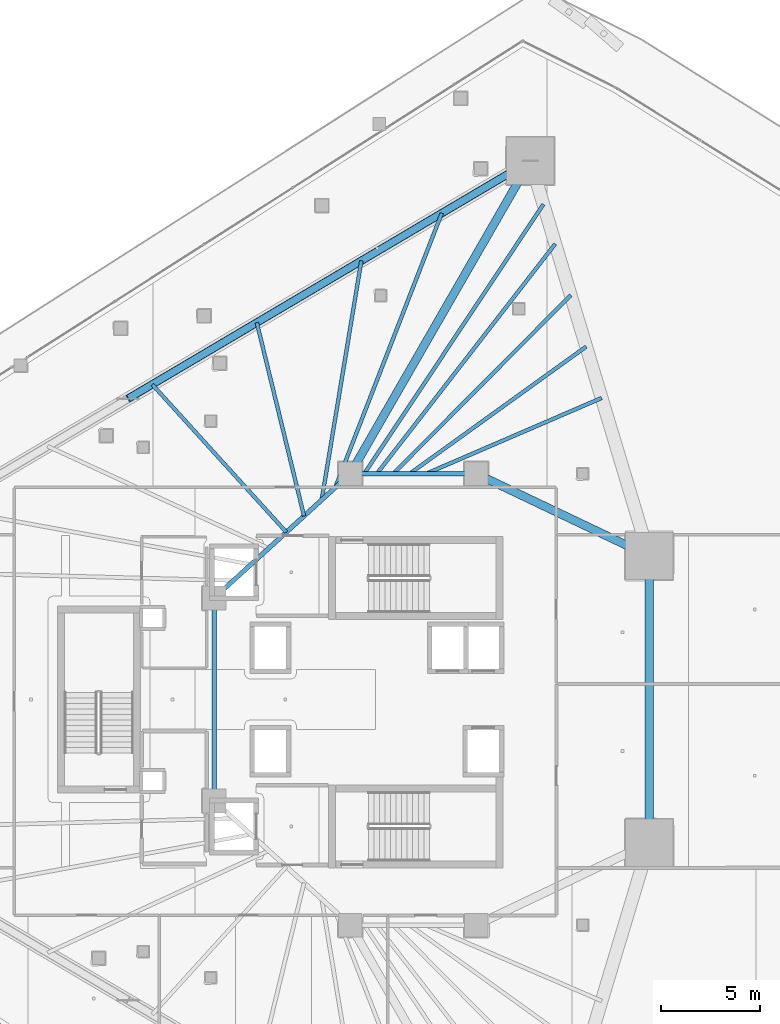
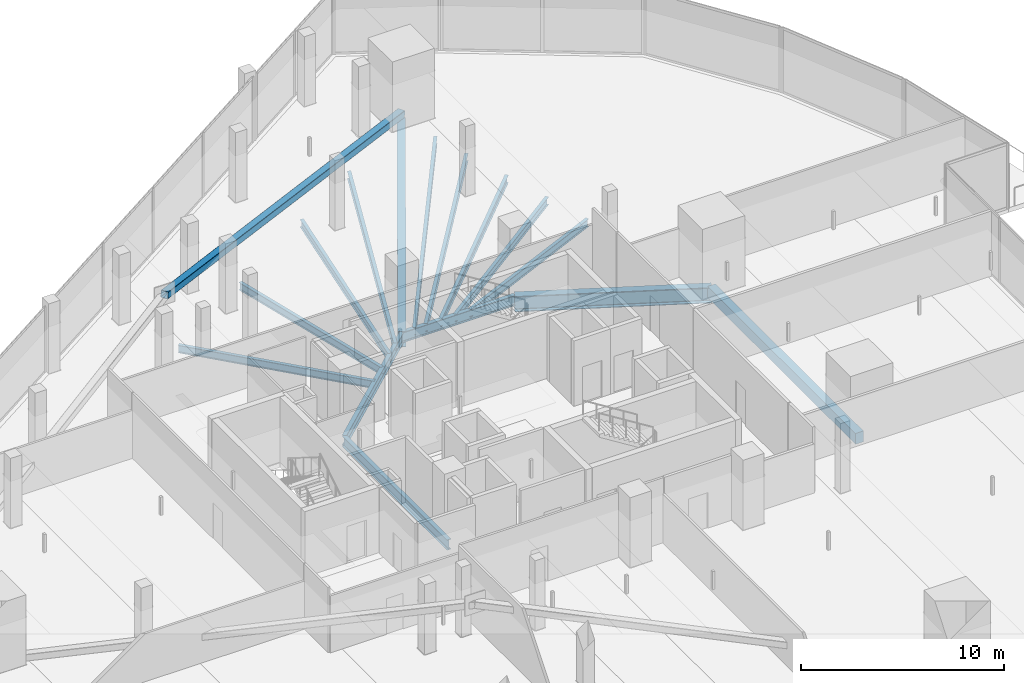
# One storey, part 19 of 45: 15 beams, 1 member.
"""IFC4 building model written with IfcOpenShell, lengths in metres."""

from ifc_helpers import new_model, si_unit, direction, frame, origin, origin_2d, place, context, subcontext, project, spatial, rectangle, hollow_rectangle, i_section, extrude, material, material_profile, profile_set, type_object, element, save


model = new_model("IFC4")

# Units and contexts
model_context = context("Model", 3, precision=1e-05, world=origin(), true_north=direction((0.0, 1.0)))
body_context = subcontext(model_context, "Body", "Model", "MODEL_VIEW")
ifc_project = project(units=[si_unit("LENGTHUNIT", "METRE"), si_unit("AREAUNIT", "SQUARE_METRE"), si_unit("VOLUMEUNIT", "CUBIC_METRE"), si_unit("PLANEANGLEUNIT", "RADIAN"), si_unit("MASSUNIT", "GRAM", prefix="KILO")], contexts=[model_context])

# Site, building, storey
site_placement = place(None, origin())
site = spatial("IfcSite", under=ifc_project, at=site_placement, CompositionType="ELEMENT")
building_placement = place(site_placement, origin())
building = spatial("IfcBuilding", under=site, at=building_placement, Name="Qorvath Tower", CompositionType="ELEMENT")
storey_placement = place(building_placement, frame((0.0, 0.0, 49.199951171875)))
storey = spatial("IfcBuildingStorey", under=building, at=storey_placement, Name="L10", CompositionType="ELEMENT", Elevation=49.199951171875)

# Beams
ifc_material_1 = material(Name="Steel ASTM A992 Grade 50", Category="steel")
ifc_material_profile_1 = material_profile(ifc_material_1, i_section(OverallWidth=0.422119140625, OverallDepth=0.93310546875, WebThickness=0.021240234375, FlangeThickness=0.039794921875, FilletRadius=0.02392578125, at=origin_2d()), Name="W36x262")
ifc_profile_set_1 = profile_set([ifc_material_profile_1], Name="Steel ASTM A992 Grade 50")
beam_type_1 = type_object("IfcBeamType", Name="BM-FG1", PredefinedType="BEAM", material=ifc_profile_set_1)
beam_1_placement = place(storey_placement, frame((-23.60009765625, 11.449951171875, -0.74658203125), z_axis=(0.498645367714, 0.866806089767, 0.0), x_axis=(-0.866806089767, 0.498645367714, 0.0)))
element("IfcBeam", 1, at=beam_1_placement, inside=storey, type_object=beam_type_1, Name="Radial Floor Girder CC1-MC6 L10", PredefinedType="BEAM", context=body_context, shape_type="SweptSolid", body=[
    extrude(i_section(OverallWidth=0.422119140625, OverallDepth=0.93310546875, WebThickness=0.021240234375, FlangeThickness=0.039794921875, FilletRadius=0.02392578125, at=origin_2d()), origin(), (0.0, 0.0, 1.0), 18.321044921875),
])
beam_2_placement = place(storey_placement, frame((-17.199951171875, 11.449951171875, -0.74658203125), z_axis=(0.902955751435, -0.429733534821, 0.0), x_axis=(0.429733534821, 0.902955751435, 0.0)))
element("IfcBeam", 2, at=beam_2_placement, inside=storey, type_object=beam_type_1, Name="Radial Floor Girder CC2-MC5 L10", PredefinedType="BEAM", context=body_context, shape_type="SweptSolid", body=[
    extrude(i_section(OverallWidth=0.422119140625, OverallDepth=0.93310546875, WebThickness=0.021240234375, FlangeThickness=0.039794921875, FilletRadius=0.02392578125, at=origin_2d()), origin(), (0.0, 0.0, 1.0), 9.7119140625),
])
ifc_material_2 = material(Name="Steel ASTM A992 Grade 50", Category="steel")
ifc_material_profile_2 = material_profile(ifc_material_2, i_section(OverallWidth=0.22998046875, OverallDepth=0.616943359375, WebThickness=0.01318359375, FlangeThickness=0.022216796875, FilletRadius=0.014892578125, at=origin_2d()), Name="W24x94")
ifc_profile_set_2 = profile_set([ifc_material_profile_2], Name="Steel ASTM A992 Grade 50")
beam_type_2 = type_object("IfcBeamType", Name="BM-FG6", PredefinedType="BEAM", material=ifc_profile_set_2)
beam_3_placement = place(storey_placement, frame((-23.60009765625, 11.449951171875, -0.588623046875), z_axis=(1.0, 0.0, 0.0), x_axis=(0.0, 1.0, 0.0)))
element("IfcBeam", 3, at=beam_3_placement, inside=storey, type_object=beam_type_2, Name="Core Ring Girder CC1-CC2 L10", PredefinedType="BEAM", context=body_context, shape_type="SweptSolid", body=[
    extrude(i_section(OverallWidth=0.22998046875, OverallDepth=0.616943359375, WebThickness=0.01318359375, FlangeThickness=0.022216796875, FilletRadius=0.014892578125, at=origin_2d()), origin(), (0.0, 0.0, 1.0), 6.400146484375),
])
beam_4_placement = place(storey_placement, frame((-30.5, -5.14990234375, -0.588623046875), z_axis=(0.0, 1.0, 0.0), x_axis=(-1.0, 0.0, 0.0)))
element("IfcBeam", 4, at=beam_4_placement, inside=storey, type_object=beam_type_2, Name="Core Ring Girder CC6-CC5 L10", PredefinedType="BEAM", context=body_context, shape_type="SweptSolid", body=[
    extrude(i_section(OverallWidth=0.22998046875, OverallDepth=0.616943359375, WebThickness=0.01318359375, FlangeThickness=0.022216796875, FilletRadius=0.014892578125, at=origin_2d()), origin(), (0.0, 0.0, 1.0), 10.2998046875),
])
beam_5_placement = place(storey_placement, frame((-30.5, 5.14990234375, -0.588623046875), z_axis=(0.73847813985, 0.6742774184, 0.0), x_axis=(-0.6742774184, 0.73847813985, 0.0)))
element("IfcBeam", 5, at=beam_5_placement, inside=storey, type_object=beam_type_2, Name="Core Ring Girder CC5-CC1 L10", PredefinedType="BEAM", context=body_context, shape_type="SweptSolid", body=[
    extrude(i_section(OverallWidth=0.22998046875, OverallDepth=0.616943359375, WebThickness=0.01318359375, FlangeThickness=0.022216796875, FilletRadius=0.014892578125, at=origin_2d()), origin(), (0.0, 0.0, 1.0), 9.343505859375),
])
ifc_material_3 = material(Name="Steel ASTM A992 Grade 50", Category="steel")
ifc_material_profile_3 = material_profile(ifc_material_3, i_section(OverallWidth=0.18994140625, OverallDepth=0.45703125, WebThickness=0.009033203125, FlangeThickness=0.014404296875, FilletRadius=0.011962890625, at=origin_2d()), Name="W18x50")
ifc_profile_set_3 = profile_set([ifc_material_profile_3], Name="Steel ASTM A992 Grade 50")
beam_type_3 = type_object("IfcBeamType", Name="BM-FJ2", PredefinedType="JOIST", material=ifc_profile_set_3)
beam_6_placement = place(storey_placement, frame((-19.760009765625, 11.449951171875, -0.508544921875), z_axis=(0.918135537923, 0.396266493667, 0.0), x_axis=(-0.396266493667, 0.918135537923, 0.0)))
element("IfcBeam", 6, at=beam_6_placement, inside=storey, type_object=beam_type_3, Name="Composite Floor Joist NE3 L10", PredefinedType="JOIST", context=body_context, shape_type="SweptSolid", body=[
    extrude(i_section(OverallWidth=0.18994140625, OverallDepth=0.45703125, WebThickness=0.009033203125, FlangeThickness=0.014404296875, FilletRadius=0.011962890625, at=origin_2d()), origin(), (0.0, 0.0, 1.0), 9.7109375),
])
beam_7_placement = place(storey_placement, frame((-20.592041015625, 11.449951171875, -0.508544921875), z_axis=(0.811469358397, 0.584394969505, 0.0), x_axis=(-0.584394969505, 0.811469358397, 0.0)))
element("IfcBeam", 7, at=beam_7_placement, inside=storey, type_object=beam_type_3, Name="Composite Floor Joist NE4 L10", PredefinedType="JOIST", context=body_context, shape_type="SweptSolid", body=[
    extrude(i_section(OverallWidth=0.18994140625, OverallDepth=0.45703125, WebThickness=0.009033203125, FlangeThickness=0.014404296875, FilletRadius=0.011962890625, at=origin_2d()), origin(), (0.0, 0.0, 1.0), 11.046142578125),
])
beam_8_placement = place(storey_placement, frame((-21.424072265625, 11.449951171875, -0.508544921875), z_axis=(0.705107654599, 0.709100271771, 0.0), x_axis=(-0.709100271771, 0.705107654599, 0.0)))
element("IfcBeam", 8, at=beam_8_placement, inside=storey, type_object=beam_type_3, Name="Composite Floor Joist NE5 L10", PredefinedType="JOIST", context=body_context, shape_type="SweptSolid", body=[
    extrude(i_section(OverallWidth=0.18994140625, OverallDepth=0.45703125, WebThickness=0.009033203125, FlangeThickness=0.014404296875, FilletRadius=0.011962890625, at=origin_2d()), origin(), (0.0, 0.0, 1.0), 12.780029296875),
])
beam_9_placement = place(storey_placement, frame((-22.256103515625, 11.449951171875, -0.508544921875), z_axis=(0.613206963859, 0.789922286984, 0.0), x_axis=(-0.789922286984, 0.613206963859, 0.0)))
element("IfcBeam", 9, at=beam_9_placement, inside=storey, type_object=beam_type_3, Name="Composite Floor Joist NE6 L10", PredefinedType="JOIST", context=body_context, shape_type="SweptSolid", body=[
    extrude(i_section(OverallWidth=0.18994140625, OverallDepth=0.45703125, WebThickness=0.009033203125, FlangeThickness=0.014404296875, FilletRadius=0.011962890625, at=origin_2d()), origin(), (0.0, 0.0, 1.0), 14.77294921875),
])
beam_10_placement = place(storey_placement, frame((-22.89599609375, 11.449951171875, -0.508544921875), z_axis=(0.553811384989, 0.83264214994, 0.0), x_axis=(-0.83264214994, 0.553811384989, 0.0)))
element("IfcBeam", 10, at=beam_10_placement, inside=storey, type_object=beam_type_3, Name="Composite Floor Joist NE7 L10", PredefinedType="JOIST", context=body_context, shape_type="SweptSolid", body=[
    extrude(i_section(OverallWidth=0.18994140625, OverallDepth=0.45703125, WebThickness=0.009033203125, FlangeThickness=0.014404296875, FilletRadius=0.011962890625, at=origin_2d()), origin(), (0.0, 0.0, 1.0), 16.42333984375),
])
beam_11_placement = place(storey_placement, frame((-26.843017578125, 8.489013671875, -0.508544921875), z_axis=(-0.672128980215, 0.740434084815, 0.0), x_axis=(-0.740434084815, -0.672128980215, 0.0)))
element("IfcBeam", 11, at=beam_11_placement, inside=storey, type_object=beam_type_3, Name="Composite Floor Joist NW4 L10", PredefinedType="JOIST", context=body_context, shape_type="SweptSolid", body=[
    extrude(i_section(OverallWidth=0.18994140625, OverallDepth=0.45703125, WebThickness=0.009033203125, FlangeThickness=0.014404296875, FilletRadius=0.011962890625, at=origin_2d()), origin(), (0.0, 0.0, 1.0), 10.1259765625),
])
beam_12_placement = place(storey_placement, frame((-25.946044921875, 9.30810546875, -0.508544921875), z_axis=(-0.237165308581, 0.97146930801, 0.0), x_axis=(-0.97146930801, -0.237165308581, 0.0)))
element("IfcBeam", 12, at=beam_12_placement, inside=storey, type_object=beam_type_3, Name="Composite Floor Joist NW5 L10", PredefinedType="JOIST", context=body_context, shape_type="SweptSolid", body=[
    extrude(i_section(OverallWidth=0.18994140625, OverallDepth=0.45703125, WebThickness=0.009033203125, FlangeThickness=0.014404296875, FilletRadius=0.011962890625, at=origin_2d()), origin(), (0.0, 0.0, 1.0), 10.104736328125),
])
beam_13_placement = place(storey_placement, frame((-25.049072265625, 10.126953125, -0.508544921875), z_axis=(0.163639384475, 0.98652022374, 0.0), x_axis=(-0.98652022374, 0.163639384475, 0.0)))
element("IfcBeam", 13, at=beam_13_placement, inside=storey, type_object=beam_type_3, Name="Composite Floor Joist NW6 L10", PredefinedType="JOIST", context=body_context, shape_type="SweptSolid", body=[
    extrude(i_section(OverallWidth=0.18994140625, OverallDepth=0.45703125, WebThickness=0.009033203125, FlangeThickness=0.014404296875, FilletRadius=0.011962890625, at=origin_2d()), origin(), (0.0, 0.0, 1.0), 12.301025390625),
])
beam_14_placement = place(storey_placement, frame((-24.35888671875, 10.757080078125, -0.508544921875), z_axis=(0.361964096586, 0.93219203643, 0.0), x_axis=(-0.93219203643, 0.361964096586, 0.0)))
element("IfcBeam", 14, at=beam_14_placement, inside=storey, type_object=beam_type_3, Name="Composite Floor Joist NW7 L10", PredefinedType="JOIST", context=body_context, shape_type="SweptSolid", body=[
    extrude(i_section(OverallWidth=0.18994140625, OverallDepth=0.45703125, WebThickness=0.009033203125, FlangeThickness=0.014404296875, FilletRadius=0.011962890625, at=origin_2d()), origin(), (0.0, 0.0, 1.0), 14.93115234375),
])
ifc_material_4 = material(Name="Concrete C45/55", Category="concrete")
ifc_material_profile_4 = material_profile(ifc_material_4, rectangle(XDim=0.449951171875, YDim=0.64990234375, at=origin_2d()), Name="RCB 650x450")
ifc_profile_set_4 = profile_set([ifc_material_profile_4], Name="Concrete C45/55")
beam_type_4 = type_object("IfcBeamType", Name="BM-RCB4", PredefinedType="LINTEL", material=ifc_profile_set_4)
beam_15_placement = place(storey_placement, frame((-8.430419921875, -7.2763671875, -0.60498046875), z_axis=(0.0, 1.0, 0.0), x_axis=(-1.0, 0.0, 0.0)))
element("IfcBeam", 15, at=beam_15_placement, inside=storey, type_object=beam_type_4, Name="Slot Portal Lintel Beam L10", PredefinedType="LINTEL", context=body_context, shape_type="SweptSolid", body=[
    extrude(rectangle(XDim=0.449951171875, YDim=0.64990234375, at=origin_2d()), origin(), (0.0, 0.0, 1.0), 14.552734375),
])

# Member
ifc_material_5 = material(Name="Steel ASTM A500 Grade C", Category="steel")
ifc_material_profile_5 = material_profile(ifc_material_5, hollow_rectangle(XDim=0.406494140625, YDim=0.406494140625, WallThickness=0.015869140625, InnerFilletRadius=0.015869140625, OuterFilletRadius=0.03173828125, at=origin_2d()), Name="HSS 406x406x16")
ifc_profile_set_5 = profile_set([ifc_material_profile_5], Name="Steel ASTM A500 Grade C")
member_type = type_object("IfcMemberType", Name="MEM-MB1", PredefinedType="BRACE", material=ifc_profile_set_5)
member_placement = place(storey_placement, frame((-14.46435546875, 27.330810546875, 0.0), z_axis=(-0.85118408601, -0.503306106147, 0.148891286646), x_axis=(0.508979409022, -0.860778694666, 0.0)))
element("IfcMember", 16, at=member_placement, inside=storey, type_object=member_type, Name="Perimeter Chevron Brace L10-1A", PredefinedType="BRACE", context=body_context, shape_type="SweptSolid", body=[
    extrude(hollow_rectangle(XDim=0.406494140625, YDim=0.406494140625, WallThickness=0.015869140625, InnerFilletRadius=0.015869140625, OuterFilletRadius=0.03173828125, at=origin_2d()), origin(), (0.0, 0.0, 1.0), 23.977783203125),
])

save(model, "model.ifc")
